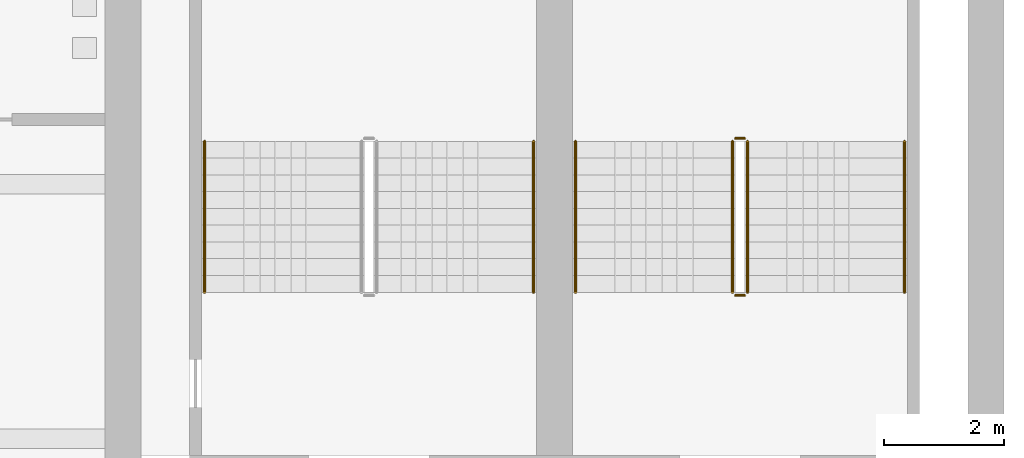
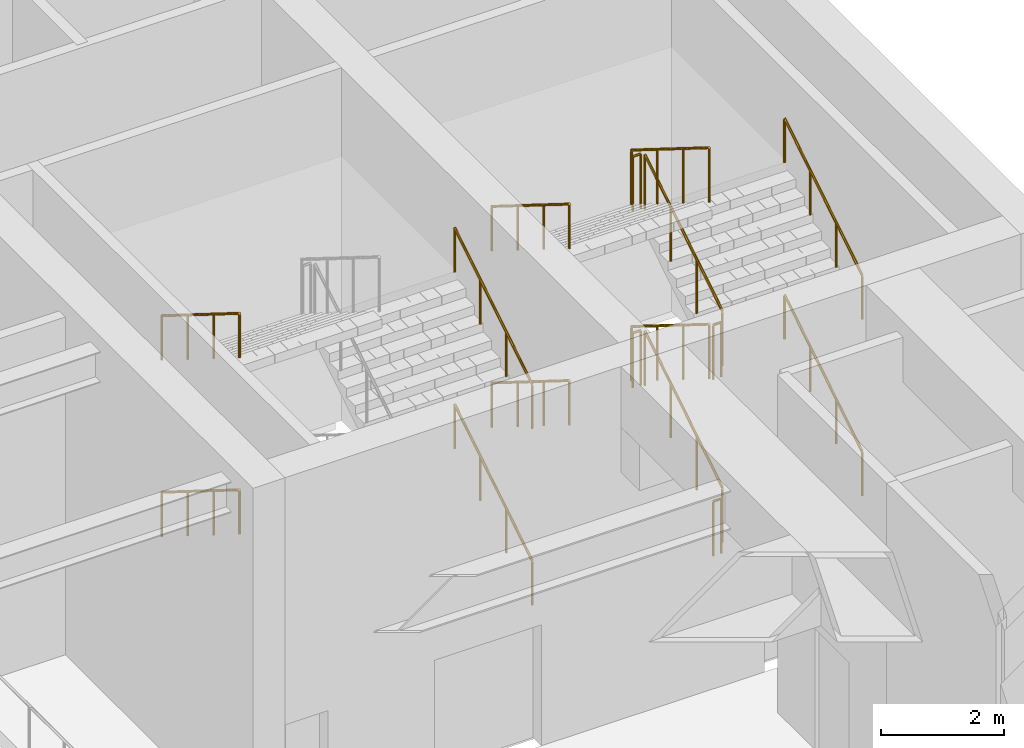
# One storey, part 44 of 45: 3 railings.
"""IFC4 building model written with IfcOpenShell, lengths in metres."""

from ifc_helpers import new_model, si_unit, direction, frame, origin, origin_2d, place, context, subcontext, project, spatial, circle, extrude, material, type_object, element, save


model = new_model("IFC4")

# Units and contexts
model_context = context("Model", 3, precision=1e-05, world=origin(), true_north=direction((0.0, 1.0)))
body_context = subcontext(model_context, "Body", "Model", "MODEL_VIEW")
ifc_project = project(units=[si_unit("LENGTHUNIT", "METRE"), si_unit("AREAUNIT", "SQUARE_METRE"), si_unit("VOLUMEUNIT", "CUBIC_METRE"), si_unit("PLANEANGLEUNIT", "RADIAN"), si_unit("MASSUNIT", "GRAM", prefix="KILO")], contexts=[model_context])

# Site, building, storey
site_placement = place(None, origin())
site = spatial("IfcSite", under=ifc_project, at=site_placement, CompositionType="ELEMENT")
building_placement = place(site_placement, origin())
building = spatial("IfcBuilding", under=site, at=building_placement, Name="Corbelhall Arena Tower", CompositionType="ELEMENT")
storey_placement = place(building_placement, frame((0.0, 0.0, 37.0)))
storey = spatial("IfcBuildingStorey", under=building, at=storey_placement, Name="L05", CompositionType="ELEMENT", Elevation=37.0)

# Railings
ifc_material = material(Name="Stainless steel A4", Category="steel")
railing_type_1 = type_object("IfcRailingType", Name="AR-STAIR-GUARD", PredefinedType="GUARDRAIL", material=ifc_material)
railing_1_placement = place(storey_placement, frame((43.719970703125, 27.320068359375, 0.175048828125)))
element("IfcRailing", 1, at=railing_1_placement, inside=storey, type_object=railing_type_1, Name="L05 AS2 stair guards", PredefinedType="GUARDRAIL", context=body_context, shape_type="SweptSolid", body=[
    extrude(circle(Radius=0.02392578125, at=origin_2d()), frame((0.0, 0.0, 1.076171875), z_axis=(0.0, 0.848007534815, 0.529984170421), x_axis=(-1.0, 0.0, 0.0)), (0.0, 0.0, 1.0), 2.9716796875),
    extrude(circle(Radius=0.02392578125, at=origin_2d()), frame((-0.050048828125, 2.56982421875, 2.65087890625), z_axis=(-1.0, 0.0, 0.0), x_axis=(0.0, -1.0, 0.0)), (0.0, 0.0, 1.0), 0.14990234375),
    extrude(circle(Radius=0.02392578125, at=origin_2d()), frame((-0.25, 2.52001953125, 2.826171875), z_axis=(0.0, -0.848007534815, 0.529984170421), x_axis=(1.0, 0.0, 0.0)), (0.0, 0.0, 1.0), 2.9716796875),
    extrude(circle(Radius=0.02392578125, at=origin_2d()), frame((-0.050048828125, -0.050048828125, 4.40087890625), z_axis=(-1.0, 0.0, 0.0), x_axis=(0.0, -1.0, 0.0)), (0.0, 0.0, 1.0), 0.14990234375),
    extrude(circle(Radius=0.02392578125, at=origin_2d()), frame((0.0, 0.0, 4.576171875), z_axis=(0.0, 0.848007534815, 0.529984170421), x_axis=(-1.0, 0.0, 0.0)), (0.0, 0.0, 1.0), 2.9716796875),
    extrude(circle(Radius=0.02392578125, at=origin_2d()), frame((-0.050048828125, 2.56982421875, 6.15087890625), z_axis=(-1.0, 0.0, 0.0), x_axis=(0.0, -1.0, 0.0)), (0.0, 0.0, 1.0), 0.14990234375),
    extrude(circle(Radius=0.02392578125, at=origin_2d()), frame((-0.25, 2.52001953125, 6.326171875), z_axis=(0.0, -0.848007534815, 0.529984170421), x_axis=(1.0, 0.0, 0.0)), (0.0, 0.0, 1.0), 2.9716796875),
    extrude(circle(Radius=0.02392578125, at=origin_2d()), frame((-0.050048828125, -0.050048828125, 0.90087890625), z_axis=(-1.0, 0.0, 0.0), x_axis=(0.0, -1.0, 0.0)), (0.0, 0.0, 1.0), 0.14990234375),
    extrude(circle(Radius=0.02099609375, at=origin_2d()), origin(), (0.0, 0.0, 1.0), 1.052001953125),
    extrude(circle(Radius=0.02099609375, at=origin_2d()), frame((0.0, 0.840087890625, 0.52490234375)), (0.0, 0.0, 1.0), 1.052001953125),
    extrude(circle(Radius=0.02099609375, at=origin_2d()), frame((0.0, 1.679931640625, 1.050048828125)), (0.0, 0.0, 1.0), 1.052001953125),
    extrude(circle(Radius=0.02099609375, at=origin_2d()), frame((0.0, 2.52001953125, 1.574951171875)), (0.0, 0.0, 1.0), 1.052001953125),
    extrude(circle(Radius=0.02099609375, at=origin_2d()), frame((-0.050048828125, 2.56982421875, 1.574951171875)), (0.0, 0.0, 1.0), 1.052001953125),
    extrude(circle(Radius=0.02099609375, at=origin_2d()), frame((-0.199951171875, 2.56982421875, 1.574951171875)), (0.0, 0.0, 1.0), 1.052001953125),
    extrude(circle(Radius=0.02099609375, at=origin_2d()), frame((-0.25, 2.52001953125, 1.75)), (0.0, 0.0, 1.0), 1.052001953125),
    extrude(circle(Radius=0.02099609375, at=origin_2d()), frame((-0.25, 1.679931640625, 2.27490234375)), (0.0, 0.0, 1.0), 1.052001953125),
    extrude(circle(Radius=0.02099609375, at=origin_2d()), frame((-0.25, 0.840087890625, 2.800048828125)), (0.0, 0.0, 1.0), 1.052001953125),
    extrude(circle(Radius=0.02099609375, at=origin_2d()), frame((-0.25, 0.0, 3.324951171875)), (0.0, 0.0, 1.0), 1.052001953125),
    extrude(circle(Radius=0.02099609375, at=origin_2d()), frame((-0.050048828125, -0.050048828125, 3.324951171875)), (0.0, 0.0, 1.0), 1.052001953125),
    extrude(circle(Radius=0.02099609375, at=origin_2d()), frame((-0.199951171875, -0.050048828125, 3.324951171875)), (0.0, 0.0, 1.0), 1.052001953125),
    extrude(circle(Radius=0.02099609375, at=origin_2d()), frame((0.0, 0.0, 3.5)), (0.0, 0.0, 1.0), 1.052001953125),
    extrude(circle(Radius=0.02099609375, at=origin_2d()), frame((0.0, 0.840087890625, 4.02490234375)), (0.0, 0.0, 1.0), 1.052001953125),
    extrude(circle(Radius=0.02099609375, at=origin_2d()), frame((0.0, 1.679931640625, 4.550048828125)), (0.0, 0.0, 1.0), 1.052001953125),
    extrude(circle(Radius=0.02099609375, at=origin_2d()), frame((0.0, 2.52001953125, 5.074951171875)), (0.0, 0.0, 1.0), 1.052001953125),
    extrude(circle(Radius=0.02099609375, at=origin_2d()), frame((-0.050048828125, 2.56982421875, 5.074951171875)), (0.0, 0.0, 1.0), 1.052001953125),
    extrude(circle(Radius=0.02099609375, at=origin_2d()), frame((-0.199951171875, 2.56982421875, 5.074951171875)), (0.0, 0.0, 1.0), 1.052001953125),
    extrude(circle(Radius=0.02099609375, at=origin_2d()), frame((-0.25, 2.52001953125, 5.25)), (0.0, 0.0, 1.0), 1.052001953125),
    extrude(circle(Radius=0.02099609375, at=origin_2d()), frame((-0.25, 1.679931640625, 5.77490234375)), (0.0, 0.0, 1.0), 1.052001953125),
    extrude(circle(Radius=0.02099609375, at=origin_2d()), frame((-0.25, 0.840087890625, 6.300048828125)), (0.0, 0.0, 1.0), 1.052001953125),
    extrude(circle(Radius=0.02099609375, at=origin_2d()), frame((-0.25, 0.0, 6.824951171875)), (0.0, 0.0, 1.0), 1.052001953125),
    extrude(circle(Radius=0.02099609375, at=origin_2d()), frame((-0.050048828125, -0.050048828125, -0.175048828125)), (0.0, 0.0, 1.0), 1.052001953125),
    extrude(circle(Radius=0.02099609375, at=origin_2d()), frame((-0.199951171875, -0.050048828125, -0.175048828125)), (0.0, 0.0, 1.0), 1.052001953125),
])
railing_type_2 = type_object("IfcRailingType", Name="AR-STAIR-HANDRAIL", PredefinedType="HANDRAIL", material=ifc_material)
railing_2_placement = place(storey_placement, frame((40.14990234375, 27.320068359375, 0.175048828125)))
element("IfcRailing", 2, at=railing_2_placement, inside=storey, type_object=railing_type_2, Name="L05 AS1 stair handrails", PredefinedType="HANDRAIL", context=body_context, shape_type="SweptSolid", body=[
    extrude(circle(Radius=0.02392578125, at=origin_2d()), frame((0.0, 0.0, 0.8759765625), z_axis=(0.0, 0.848007534815, 0.529984170421), x_axis=(-1.0, 0.0, 0.0)), (0.0, 0.0, 1.0), 2.9716796875),
    extrude(circle(Radius=0.02392578125, at=origin_2d()), frame((-5.489990234375, 2.52001953125, 2.6259765625), z_axis=(0.0, -0.848007534815, 0.529984170421), x_axis=(1.0, 0.0, 0.0)), (0.0, 0.0, 1.0), 2.9716796875),
    extrude(circle(Radius=0.02392578125, at=origin_2d()), frame((0.0, 0.0, 4.3759765625), z_axis=(0.0, 0.848007534815, 0.529984170421), x_axis=(-1.0, 0.0, 0.0)), (0.0, 0.0, 1.0), 2.9716796875),
    extrude(circle(Radius=0.02392578125, at=origin_2d()), frame((-5.489990234375, 2.52001953125, 6.1259765625), z_axis=(0.0, -0.848007534815, 0.529984170421), x_axis=(1.0, 0.0, 0.0)), (0.0, 0.0, 1.0), 2.9716796875),
    extrude(circle(Radius=0.02099609375, at=origin_2d()), origin(), (0.0, 0.0, 1.0), 0.851806640625),
    extrude(circle(Radius=0.02099609375, at=origin_2d()), frame((0.0, 0.840087890625, 0.52490234375)), (0.0, 0.0, 1.0), 0.851806640625),
    extrude(circle(Radius=0.02099609375, at=origin_2d()), frame((0.0, 1.679931640625, 1.050048828125)), (0.0, 0.0, 1.0), 0.851806640625),
    extrude(circle(Radius=0.02099609375, at=origin_2d()), frame((0.0, 2.52001953125, 1.574951171875)), (0.0, 0.0, 1.0), 0.851806640625),
    extrude(circle(Radius=0.02099609375, at=origin_2d()), frame((-5.489990234375, 2.52001953125, 1.75)), (0.0, 0.0, 1.0), 0.851806640625),
    extrude(circle(Radius=0.02099609375, at=origin_2d()), frame((-5.489990234375, 1.679931640625, 2.27490234375)), (0.0, 0.0, 1.0), 0.851806640625),
    extrude(circle(Radius=0.02099609375, at=origin_2d()), frame((-5.489990234375, 0.840087890625, 2.800048828125)), (0.0, 0.0, 1.0), 0.851806640625),
    extrude(circle(Radius=0.02099609375, at=origin_2d()), frame((-5.489990234375, 0.0, 3.324951171875)), (0.0, 0.0, 1.0), 0.851806640625),
    extrude(circle(Radius=0.02099609375, at=origin_2d()), frame((0.0, 0.0, 3.5)), (0.0, 0.0, 1.0), 0.851806640625),
    extrude(circle(Radius=0.02099609375, at=origin_2d()), frame((0.0, 0.840087890625, 4.02490234375)), (0.0, 0.0, 1.0), 0.851806640625),
    extrude(circle(Radius=0.02099609375, at=origin_2d()), frame((0.0, 1.679931640625, 4.550048828125)), (0.0, 0.0, 1.0), 0.851806640625),
    extrude(circle(Radius=0.02099609375, at=origin_2d()), frame((0.0, 2.52001953125, 5.074951171875)), (0.0, 0.0, 1.0), 0.851806640625),
    extrude(circle(Radius=0.02099609375, at=origin_2d()), frame((-5.489990234375, 2.52001953125, 5.25)), (0.0, 0.0, 1.0), 0.851806640625),
    extrude(circle(Radius=0.02099609375, at=origin_2d()), frame((-5.489990234375, 1.679931640625, 5.77490234375)), (0.0, 0.0, 1.0), 0.851806640625),
    extrude(circle(Radius=0.02099609375, at=origin_2d()), frame((-5.489990234375, 0.840087890625, 6.300048828125)), (0.0, 0.0, 1.0), 0.851806640625),
    extrude(circle(Radius=0.02099609375, at=origin_2d()), frame((-5.489990234375, 0.0, 6.824951171875)), (0.0, 0.0, 1.0), 0.851806640625),
])
railing_3_placement = place(storey_placement, frame((46.340087890625, 27.320068359375, 0.175048828125)))
element("IfcRailing", 3, at=railing_3_placement, inside=storey, type_object=railing_type_2, Name="L05 AS2 stair handrails", PredefinedType="HANDRAIL", context=body_context, shape_type="SweptSolid", body=[
    extrude(circle(Radius=0.02392578125, at=origin_2d()), frame((0.0, 0.0, 0.8759765625), z_axis=(0.0, 0.848007534815, 0.529984170421), x_axis=(-1.0, 0.0, 0.0)), (0.0, 0.0, 1.0), 2.9716796875),
    extrude(circle(Radius=0.02392578125, at=origin_2d()), frame((-5.489990234375, 2.52001953125, 2.6259765625), z_axis=(0.0, -0.848007534815, 0.529984170421), x_axis=(1.0, 0.0, 0.0)), (0.0, 0.0, 1.0), 2.9716796875),
    extrude(circle(Radius=0.02392578125, at=origin_2d()), frame((0.0, 0.0, 4.3759765625), z_axis=(0.0, 0.848007534815, 0.529984170421), x_axis=(-1.0, 0.0, 0.0)), (0.0, 0.0, 1.0), 2.9716796875),
    extrude(circle(Radius=0.02392578125, at=origin_2d()), frame((-5.489990234375, 2.52001953125, 6.1259765625), z_axis=(0.0, -0.848007534815, 0.529984170421), x_axis=(1.0, 0.0, 0.0)), (0.0, 0.0, 1.0), 2.9716796875),
    extrude(circle(Radius=0.02099609375, at=origin_2d()), origin(), (0.0, 0.0, 1.0), 0.851806640625),
    extrude(circle(Radius=0.02099609375, at=origin_2d()), frame((0.0, 0.840087890625, 0.52490234375)), (0.0, 0.0, 1.0), 0.851806640625),
    extrude(circle(Radius=0.02099609375, at=origin_2d()), frame((0.0, 1.679931640625, 1.050048828125)), (0.0, 0.0, 1.0), 0.851806640625),
    extrude(circle(Radius=0.02099609375, at=origin_2d()), frame((0.0, 2.52001953125, 1.574951171875)), (0.0, 0.0, 1.0), 0.851806640625),
    extrude(circle(Radius=0.02099609375, at=origin_2d()), frame((-5.489990234375, 2.52001953125, 1.75)), (0.0, 0.0, 1.0), 0.851806640625),
    extrude(circle(Radius=0.02099609375, at=origin_2d()), frame((-5.489990234375, 1.679931640625, 2.27490234375)), (0.0, 0.0, 1.0), 0.851806640625),
    extrude(circle(Radius=0.02099609375, at=origin_2d()), frame((-5.489990234375, 0.840087890625, 2.800048828125)), (0.0, 0.0, 1.0), 0.851806640625),
    extrude(circle(Radius=0.02099609375, at=origin_2d()), frame((-5.489990234375, 0.0, 3.324951171875)), (0.0, 0.0, 1.0), 0.851806640625),
    extrude(circle(Radius=0.02099609375, at=origin_2d()), frame((0.0, 0.0, 3.5)), (0.0, 0.0, 1.0), 0.851806640625),
    extrude(circle(Radius=0.02099609375, at=origin_2d()), frame((0.0, 0.840087890625, 4.02490234375)), (0.0, 0.0, 1.0), 0.851806640625),
    extrude(circle(Radius=0.02099609375, at=origin_2d()), frame((0.0, 1.679931640625, 4.550048828125)), (0.0, 0.0, 1.0), 0.851806640625),
    extrude(circle(Radius=0.02099609375, at=origin_2d()), frame((0.0, 2.52001953125, 5.074951171875)), (0.0, 0.0, 1.0), 0.851806640625),
    extrude(circle(Radius=0.02099609375, at=origin_2d()), frame((-5.489990234375, 2.52001953125, 5.25)), (0.0, 0.0, 1.0), 0.851806640625),
    extrude(circle(Radius=0.02099609375, at=origin_2d()), frame((-5.489990234375, 1.679931640625, 5.77490234375)), (0.0, 0.0, 1.0), 0.851806640625),
    extrude(circle(Radius=0.02099609375, at=origin_2d()), frame((-5.489990234375, 0.840087890625, 6.300048828125)), (0.0, 0.0, 1.0), 0.851806640625),
    extrude(circle(Radius=0.02099609375, at=origin_2d()), frame((-5.489990234375, 0.0, 6.824951171875)), (0.0, 0.0, 1.0), 0.851806640625),
])

save(model, "model.ifc")
